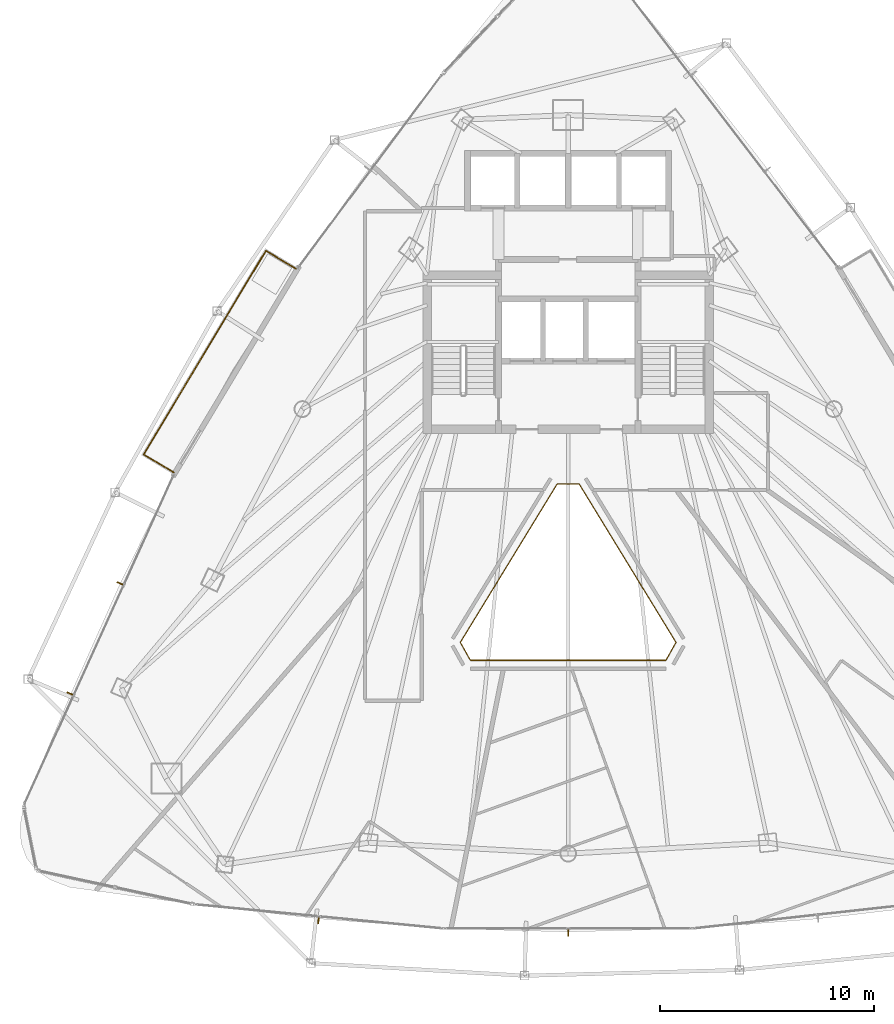
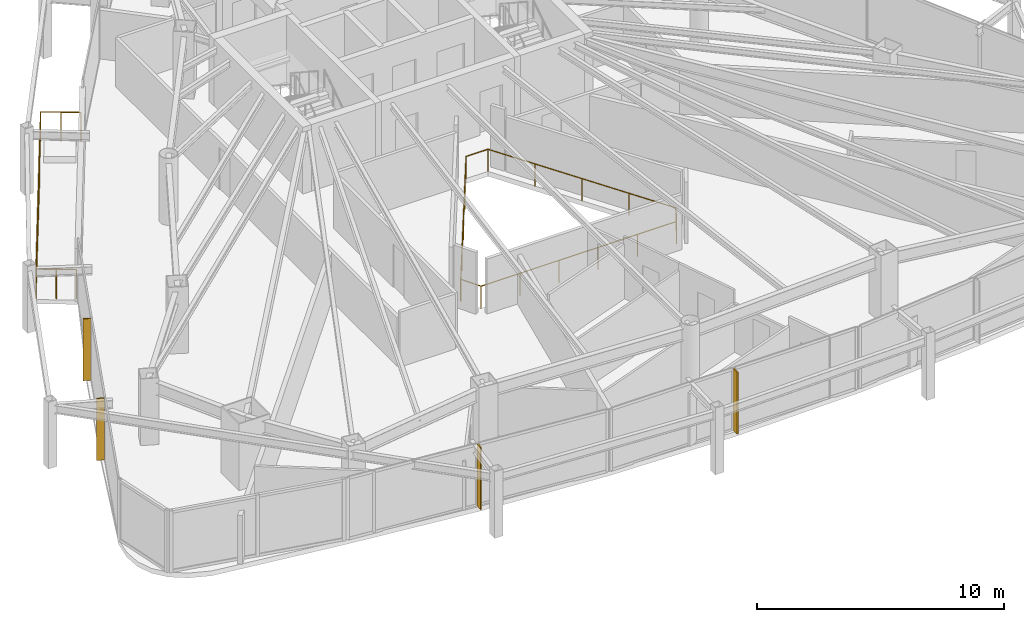
# One storey, part 28 of 30: 4 shading devices, 2 railings.
"""IFC4 building model written with IfcOpenShell, lengths in metres."""

from ifc_helpers import new_model, si_unit, direction, frame, origin, origin_2d, place, context, subcontext, project, spatial, rectangle, circle, extrude, material, layer, layer_set, type_object, element, save


model = new_model("IFC4")

# Units and contexts
model_context = context("Model", 3, precision=1e-05, world=origin(), true_north=direction((0.0, 1.0)))
body_context = subcontext(model_context, "Body", "Model", "MODEL_VIEW")
ifc_project = project(units=[si_unit("LENGTHUNIT", "METRE"), si_unit("AREAUNIT", "SQUARE_METRE"), si_unit("VOLUMEUNIT", "CUBIC_METRE"), si_unit("PLANEANGLEUNIT", "RADIAN"), si_unit("MASSUNIT", "GRAM", prefix="KILO")], contexts=[model_context])

# Site, building, storey
site_placement = place(None, origin())
site = spatial("IfcSite", under=ifc_project, at=site_placement, CompositionType="ELEMENT")
building_placement = place(site_placement, origin())
building = spatial("IfcBuilding", under=site, at=building_placement, Name="Orvanel Arch Residences", CompositionType="ELEMENT")
storey_placement = place(building_placement, frame((0.0, 0.0, 139.699951171875)))
storey = spatial("IfcBuildingStorey", under=building, at=storey_placement, Name="L39", CompositionType="ELEMENT", Elevation=139.699951171875)

# Shading devices
ifc_material = material(Name="Bronze-anodised aluminium AA6063-T6", Category="aluminium")
ifc_layer = layer(ifc_material, 0.054931640625)
ifc_layer_set = layer_set([ifc_layer], Name="Bronze-anodised aluminium AA6063-T6")
shading_device_type = type_object("IfcShadingDeviceType", Name="FIN-BRZ-320", PredefinedType="USERDEFINED", material=ifc_layer_set)
for number, where, z_axis, x_axis, name in (
    (1, (12.0390625, 19.48193359375, 0.0), (0.0, 0.0, 1.0), (-0.910683660806, 0.413104429825, 0.0), "L39 Anodised Bronze Mullion FIN 01"),
    (2, (9.697998046875, 14.327880859375, 0.0), (0.0, 0.0, 1.0), (-0.910683660806, 0.413104429825, 0.0), "L39 Anodised Bronze Mullion FIN 02"),
    (3, (21.320068359375, 3.717041015625, 0.0), (0.0, 0.0, 1.0), (-0.09584575252, -0.995396198367, 0.0), "L39 Anodised Bronze Mullion FIN 01"),
    (4, (33.0, 3.14990234375, 0.0), (0.0, 0.0, 1.0), (0.0, -1.0, 0.0), "L39 Anodised Bronze Mullion FIN 01"),
):
    element("IfcShadingDevice", number, at=place(storey_placement, frame(where, z_axis=z_axis, x_axis=x_axis)), inside=storey, type_object=shading_device_type, Name=name, ObjectType="FIN", PredefinedType="USERDEFINED", context=body_context, shape_type="SweptSolid", body=[
        extrude(rectangle(XDim=0.320068359375, YDim=0.054931640625, at=origin_2d()), origin(), (0.0, 0.0, 1.0), 3.06005859375),
    ])

# Railings
railing_type_1 = type_object("IfcRailingType", Name="RL-ATR-1120", PredefinedType="BALUSTRADE", material=ifc_material)
railing_1_placement = place(storey_placement, frame((33.510986328125, 24.138916015625, 0.0)))
element("IfcRailing", 5, at=railing_1_placement, inside=storey, type_object=railing_type_1, Name="L39 Atrium Void Protective Balustrade", PredefinedType="BALUSTRADE", context=body_context, shape_type="SweptSolid", body=[
    extrude(circle(Radius=0.02392578125, at=origin_2d()), frame((-0.00146484375, 0.0, 1.09619140625), z_axis=(-1.0, 0.0, 0.0), x_axis=(0.0, -1.0, 0.0)), (0.0, 0.0, 1.0), 1.01904296875),
    extrude(circle(Radius=0.02392578125, at=origin_2d()), frame((-1.022705078125, -0.001220703125, 1.09619140625), z_axis=(-0.521578460024, -0.853203322801, 0.0), x_axis=(0.853203322801, -0.521578460024, 0.0)), (0.0, 0.0, 1.0), 8.68408203125),
    extrude(circle(Radius=0.02392578125, at=origin_2d()), frame((-5.55224609375, -7.4130859375, 1.09619140625), z_axis=(0.488518007853, -0.872553812669, 0.0), x_axis=(0.872553812669, 0.488518007853, 0.0)), (0.0, 0.0, 1.0), 0.955078125),
    extrude(circle(Radius=0.02392578125, at=origin_2d()), frame((-5.08349609375, -8.247802734375, 1.09619140625), z_axis=(1.0, 0.0, 0.0), x_axis=(0.0, 1.0, 0.0)), (0.0, 0.0, 1.0), 9.14501953125),
    extrude(circle(Radius=0.02392578125, at=origin_2d()), frame((4.063720703125, -8.24658203125, 1.09619140625), z_axis=(0.488518007853, 0.872553812669, 0.0), x_axis=(-0.872553812669, 0.488518007853, 0.0)), (0.0, 0.0, 1.0), 0.955078125),
    extrude(circle(Radius=0.02392578125, at=origin_2d()), frame((4.5302734375, -7.41064453125, 1.09619140625), z_axis=(-0.521578460024, 0.853203322801, 0.0), x_axis=(-0.853203322801, -0.521578460024, 0.0)), (0.0, 0.0, 1.0), 8.68408203125),
    extrude(circle(Radius=0.02099609375, at=origin_2d()), origin(), (0.0, 0.0, 1.0), 1.070068359375),
    extrude(circle(Radius=0.02099609375, at=origin_2d()), frame((-1.02197265625, 0.0, 0.0)), (0.0, 0.0, 1.0), 1.070068359375),
    extrude(circle(Radius=0.02099609375, at=origin_2d()), frame((-2.15478515625, -1.85302734375, 0.0)), (0.0, 0.0, 1.0), 1.070068359375),
    extrude(circle(Radius=0.02099609375, at=origin_2d()), frame((-3.28759765625, -3.7060546875, 0.0)), (0.0, 0.0, 1.0), 1.070068359375),
    extrude(circle(Radius=0.02099609375, at=origin_2d()), frame((-4.420166015625, -5.558837890625, 0.0)), (0.0, 0.0, 1.0), 1.070068359375),
    extrude(circle(Radius=0.02099609375, at=origin_2d()), frame((-5.552978515625, -7.411865234375, 0.0)), (0.0, 0.0, 1.0), 1.070068359375),
    extrude(circle(Radius=0.02099609375, at=origin_2d()), frame((-5.0849609375, -8.247802734375, 0.0)), (0.0, 0.0, 1.0), 1.070068359375),
    extrude(circle(Radius=0.02099609375, at=origin_2d()), frame((-3.25537109375, -8.247802734375, 0.0)), (0.0, 0.0, 1.0), 1.070068359375),
    extrude(circle(Radius=0.02099609375, at=origin_2d()), frame((-1.42578125, -8.247802734375, 0.0)), (0.0, 0.0, 1.0), 1.070068359375),
    extrude(circle(Radius=0.02099609375, at=origin_2d()), frame((0.40380859375, -8.247802734375, 0.0)), (0.0, 0.0, 1.0), 1.070068359375),
    extrude(circle(Radius=0.02099609375, at=origin_2d()), frame((2.2333984375, -8.247802734375, 0.0)), (0.0, 0.0, 1.0), 1.070068359375),
    extrude(circle(Radius=0.02099609375, at=origin_2d()), frame((4.06298828125, -8.247802734375, 0.0)), (0.0, 0.0, 1.0), 1.070068359375),
    extrude(circle(Radius=0.02099609375, at=origin_2d()), frame((4.531005859375, -7.411865234375, 0.0)), (0.0, 0.0, 1.0), 1.070068359375),
    extrude(circle(Radius=0.02099609375, at=origin_2d()), frame((3.398193359375, -5.558837890625, 0.0)), (0.0, 0.0, 1.0), 1.070068359375),
    extrude(circle(Radius=0.02099609375, at=origin_2d()), frame((2.265625, -3.7060546875, 0.0)), (0.0, 0.0, 1.0), 1.070068359375),
    extrude(circle(Radius=0.02099609375, at=origin_2d()), frame((1.1328125, -1.85302734375, 0.0)), (0.0, 0.0, 1.0), 1.070068359375),
])
railing_type_2 = type_object("IfcRailingType", Name="RL-BAL-1480", PredefinedType="BALUSTRADE", material=ifc_material)
railing_2_placement = place(storey_placement, frame((20.264892578125, 34.205078125, 0.0)))
element("IfcRailing", 6, at=railing_2_placement, inside=storey, type_object=railing_type_2, Name="L39 Balcony Perimeter Guardrail Face 1", PredefinedType="BALUSTRADE", context=body_context, shape_type="SweptSolid", body=[
    extrude(circle(Radius=0.02392578125, at=origin_2d()), frame((-0.001220703125, 0.000732421875, 1.4560546875), z_axis=(-0.857387817543, 0.514670895164, 0.0), x_axis=(-0.514670895164, -0.857387817543, 0.0)), (0.0, 0.0, 1.0), 1.636962890625),
    extrude(circle(Radius=0.02392578125, at=origin_2d()), frame((-1.40673828125, 0.8427734375, 1.4560546875), z_axis=(-0.514414986508, -0.857541381891, 0.0), x_axis=(0.857541381891, -0.514414986508, 0.0)), (0.0, 0.0, 1.0), 11.110107421875),
    extrude(circle(Radius=0.02392578125, at=origin_2d()), frame((-7.12158203125, -8.686767578125, 1.4560546875), z_axis=(0.857545439568, -0.514408222208, 0.0), x_axis=(0.514408222208, 0.857545439568, 0.0)), (0.0, 0.0, 1.0), 1.6376953125),
    extrude(circle(Radius=0.02099609375, at=origin_2d()), origin(), (0.0, 0.0, 1.0), 1.429931640625),
    extrude(circle(Radius=0.02099609375, at=origin_2d()), frame((-0.703125, 0.421875, 0.0)), (0.0, 0.0, 1.0), 1.429931640625),
    extrude(circle(Radius=0.02099609375, at=origin_2d()), frame((-1.406005859375, 0.843994140625, 0.0)), (0.0, 0.0, 1.0), 1.429931640625),
    extrude(circle(Radius=0.02099609375, at=origin_2d()), frame((-1.977783203125, -0.10888671875, 0.0)), (0.0, 0.0, 1.0), 1.429931640625),
    extrude(circle(Radius=0.02099609375, at=origin_2d()), frame((-2.54931640625, -1.06201171875, 0.0)), (0.0, 0.0, 1.0), 1.429931640625),
    extrude(circle(Radius=0.02099609375, at=origin_2d()), frame((-3.12109375, -2.01513671875, 0.0)), (0.0, 0.0, 1.0), 1.429931640625),
    extrude(circle(Radius=0.02099609375, at=origin_2d()), frame((-3.692626953125, -2.968017578125, 0.0)), (0.0, 0.0, 1.0), 1.429931640625),
    extrude(circle(Radius=0.02099609375, at=origin_2d()), frame((-4.264404296875, -3.9208984375, 0.0)), (0.0, 0.0, 1.0), 1.429931640625),
    extrude(circle(Radius=0.02099609375, at=origin_2d()), frame((-4.836181640625, -4.8740234375, 0.0)), (0.0, 0.0, 1.0), 1.429931640625),
    extrude(circle(Radius=0.02099609375, at=origin_2d()), frame((-5.40771484375, -5.8271484375, 0.0)), (0.0, 0.0, 1.0), 1.429931640625),
    extrude(circle(Radius=0.02099609375, at=origin_2d()), frame((-5.9794921875, -6.780029296875, 0.0)), (0.0, 0.0, 1.0), 1.429931640625),
    extrude(circle(Radius=0.02099609375, at=origin_2d()), frame((-6.551025390625, -7.73291015625, 0.0)), (0.0, 0.0, 1.0), 1.429931640625),
    extrude(circle(Radius=0.02099609375, at=origin_2d()), frame((-7.122802734375, -8.68603515625, 0.0)), (0.0, 0.0, 1.0), 1.429931640625),
    extrude(circle(Radius=0.02099609375, at=origin_2d()), frame((-6.41943359375, -9.10791015625, 0.0)), (0.0, 0.0, 1.0), 1.429931640625),
    extrude(circle(Radius=0.02099609375, at=origin_2d()), frame((-5.7158203125, -9.530029296875, 0.0)), (0.0, 0.0, 1.0), 1.429931640625),
])

save(model, "model.ifc")
